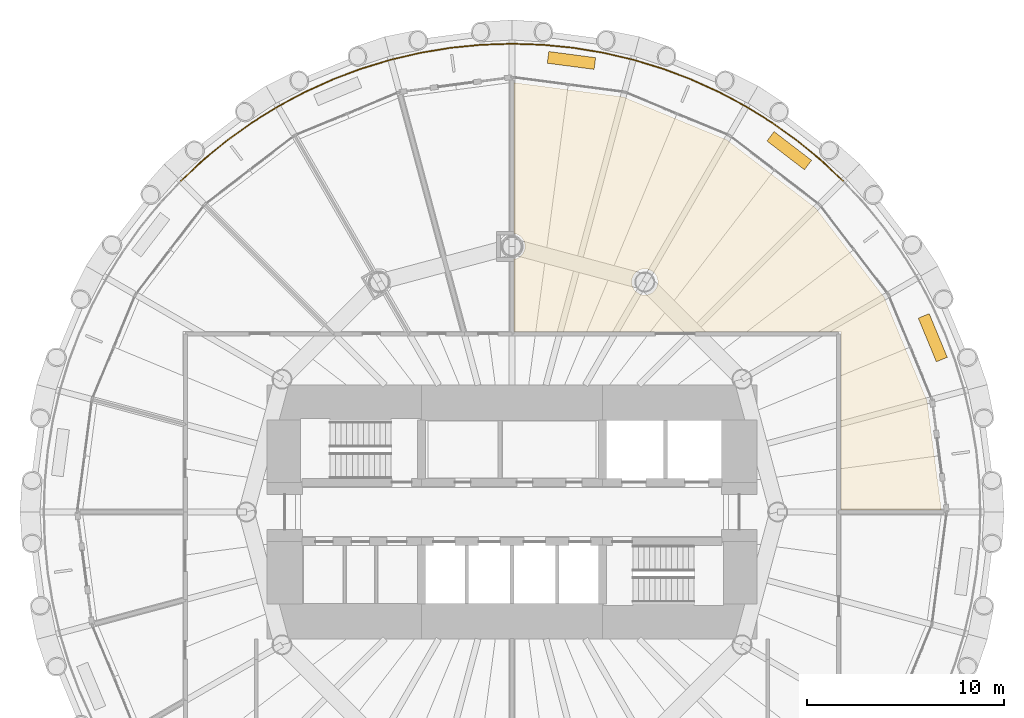
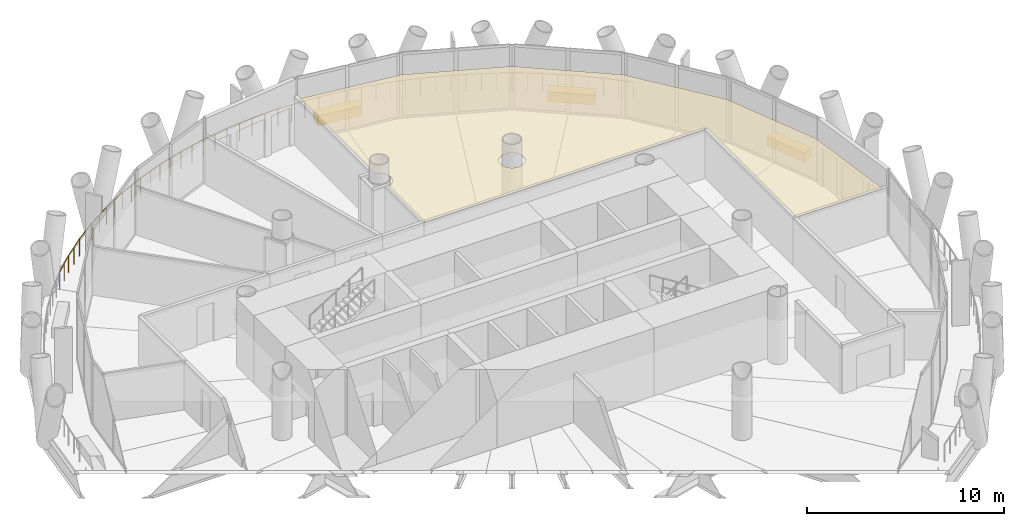
# One storey, part 15 of 15: 4 coverings, 1 railing.
"""IFC4 building model written with IfcOpenShell, lengths in metres."""

from ifc_helpers import new_model, si_unit, direction, frame, origin, origin_2d, place, context, subcontext, project, spatial, polyline, rectangle, circle, outline, extrude, material, layer, layer_set, type_object, element, save


model = new_model("IFC4")

# Units and contexts
model_context = context("Model", 3, precision=1e-05, world=origin(), true_north=direction((0.0, 1.0)))
body_context = subcontext(model_context, "Body", "Model", "MODEL_VIEW")
ifc_project = project(units=[si_unit("LENGTHUNIT", "METRE"), si_unit("AREAUNIT", "SQUARE_METRE"), si_unit("VOLUMEUNIT", "CUBIC_METRE"), si_unit("PLANEANGLEUNIT", "RADIAN"), si_unit("MASSUNIT", "GRAM", prefix="KILO")], contexts=[model_context])

# Site, building, storey
site_placement = place(None, origin())
site = spatial("IfcSite", under=ifc_project, at=site_placement, CompositionType="ELEMENT")
building_placement = place(site_placement, origin())
building = spatial("IfcBuilding", under=site, at=building_placement, Name="Qaws Media Tower", CompositionType="ELEMENT")
storey_placement = place(building_placement, frame((0.0, 0.0, 177.199951171875)))
storey = spatial("IfcBuildingStorey", under=building, at=storey_placement, Name="L40", CompositionType="ELEMENT", Elevation=177.199951171875)

# Railing
ifc_material_1 = material(Name="Stainless steel and glass guard", Category="steel")
railing_type = type_object("IfcRailingType", Name="Balcony guard 1100", PredefinedType="GUARDRAIL", material=ifc_material_1)
railing_placement = place(storey_placement, frame((76.8291015625, 66.8291015625, 0.0)))
element("IfcRailing", 1, at=railing_placement, inside=storey, type_object=railing_type, Name="GR1 balcony guard L40-1", PredefinedType="GUARDRAIL", context=body_context, shape_type="SweptSolid", body=[
    extrude(circle(Radius=0.02392578125, at=origin_2d()), frame((0.0, 0.0, 1.076171875), z_axis=(-0.729849985471, 0.683607342491, 0.0), x_axis=(-0.683607342491, -0.729849985471, 0.0)), (0.0, 0.0, 1.0), 1.557373046875),
    extrude(circle(Radius=0.02392578125, at=origin_2d()), frame((-1.13671875, 1.064697265625, 1.076171875), z_axis=(-0.772992550255, 0.634415098536, 0.0), x_axis=(-0.634415098536, -0.772992550255, 0.0)), (0.0, 0.0, 1.0), 1.557373046875),
    extrude(circle(Radius=0.02392578125, at=origin_2d()), frame((-2.340576171875, 2.052734375, 1.076171875), z_axis=(-0.812810942204, 0.582527572079, 0.0), x_axis=(-0.582527572079, -0.812810942204, 0.0)), (0.0, 0.0, 1.0), 1.557373046875),
    extrude(circle(Radius=0.02392578125, at=origin_2d()), frame((-3.6064453125, 2.9599609375, 1.076171875), z_axis=(-0.849281526223, 0.527940232617, 0.0), x_axis=(-0.527940232617, -0.849281526223, 0.0)), (0.0, 0.0, 1.0), 1.5576171875),
    extrude(circle(Radius=0.02392578125, at=origin_2d()), frame((-4.92919921875, 3.7822265625, 1.076171875), z_axis=(-0.881931668673, 0.471377271187, 0.0), x_axis=(-0.471377271187, -0.881931668673, 0.0)), (0.0, 0.0, 1.0), 1.557373046875),
    extrude(circle(Radius=0.02392578125, at=origin_2d()), frame((-6.302734375, 4.516357421875, 1.076171875), z_axis=(-0.910832985836, 0.412775086352, 0.0), x_axis=(-0.412775086352, -0.910832985836, 0.0)), (0.0, 0.0, 1.0), 1.557373046875),
    extrude(circle(Radius=0.02392578125, at=origin_2d()), frame((-7.72119140625, 5.1591796875, 1.076171875), z_axis=(-0.935922733665, 0.352205389808, 0.0), x_axis=(-0.352205389808, -0.935922733665, 0.0)), (0.0, 0.0, 1.0), 1.5576171875),
    extrude(circle(Radius=0.02392578125, at=origin_2d()), frame((-9.178955078125, 5.707763671875, 1.076171875), z_axis=(-0.956924141073, 0.29033805853, 0.0), x_axis=(-0.29033805853, -0.956924141073, 0.0)), (0.0, 0.0, 1.0), 1.557373046875),
    extrude(circle(Radius=0.02392578125, at=origin_2d()), frame((-10.669189453125, 6.159912109375, 1.076171875), z_axis=(-0.973865484186, 0.227125557152, 0.0), x_axis=(-0.227125557152, -0.973865484186, 0.0)), (0.0, 0.0, 1.0), 1.5576171875),
    extrude(circle(Radius=0.02392578125, at=origin_2d()), frame((-12.18603515625, 6.513671875, 1.076171875), z_axis=(-0.9866469499, 0.162873559095, 0.0), x_axis=(-0.162873559095, -0.9866469499, 0.0)), (0.0, 0.0, 1.0), 1.557373046875),
    extrude(circle(Radius=0.02392578125, at=origin_2d()), frame((-13.72265625, 6.767333984375, 1.076171875), z_axis=(-0.995188142813, 0.097982449474, 0.0), x_axis=(-0.097982449474, -0.995188142813, 0.0)), (0.0, 0.0, 1.0), 1.557373046875),
    extrude(circle(Radius=0.02392578125, at=origin_2d()), frame((-15.2724609375, 6.919921875, 1.076171875), z_axis=(-0.999463195493, 0.032761575887, 0.0), x_axis=(-0.032761575887, -0.999463195493, 0.0)), (0.0, 0.0, 1.0), 1.557373046875),
    extrude(circle(Radius=0.02392578125, at=origin_2d()), frame((-16.8291015625, 6.970947265625, 1.076171875), z_axis=(-0.999463195493, -0.032761575887, 0.0), x_axis=(0.032761575887, -0.999463195493, 0.0)), (0.0, 0.0, 1.0), 1.557373046875),
    extrude(circle(Radius=0.02392578125, at=origin_2d()), frame((-18.3857421875, 6.919921875, 1.076171875), z_axis=(-0.995188142813, -0.097982449474, 0.0), x_axis=(0.097982449474, -0.995188142813, 0.0)), (0.0, 0.0, 1.0), 1.557373046875),
    extrude(circle(Radius=0.02392578125, at=origin_2d()), frame((-19.935546875, 6.767333984375, 1.076171875), z_axis=(-0.9866469499, -0.162873559095, 0.0), x_axis=(0.162873559095, -0.9866469499, 0.0)), (0.0, 0.0, 1.0), 1.557373046875),
    extrude(circle(Radius=0.02392578125, at=origin_2d()), frame((-21.47216796875, 6.513671875, 1.076171875), z_axis=(-0.973865484186, -0.227125557152, 0.0), x_axis=(0.227125557152, -0.973865484186, 0.0)), (0.0, 0.0, 1.0), 1.5576171875),
    extrude(circle(Radius=0.02392578125, at=origin_2d()), frame((-22.989013671875, 6.159912109375, 1.076171875), z_axis=(-0.956924141073, -0.29033805853, 0.0), x_axis=(0.29033805853, -0.956924141073, 0.0)), (0.0, 0.0, 1.0), 1.557373046875),
    extrude(circle(Radius=0.02392578125, at=origin_2d()), frame((-24.479248046875, 5.707763671875, 1.076171875), z_axis=(-0.935922733665, -0.352205389808, 0.0), x_axis=(0.352205389808, -0.935922733665, 0.0)), (0.0, 0.0, 1.0), 1.5576171875),
    extrude(circle(Radius=0.02392578125, at=origin_2d()), frame((-25.93701171875, 5.1591796875, 1.076171875), z_axis=(-0.910832985836, -0.412775086352, 0.0), x_axis=(0.412775086352, -0.910832985836, 0.0)), (0.0, 0.0, 1.0), 1.557373046875),
    extrude(circle(Radius=0.02392578125, at=origin_2d()), frame((-27.35546875, 4.516357421875, 1.076171875), z_axis=(-0.881931668673, -0.471377271187, 0.0), x_axis=(0.471377271187, -0.881931668673, 0.0)), (0.0, 0.0, 1.0), 1.557373046875),
    extrude(circle(Radius=0.02392578125, at=origin_2d()), frame((-28.72900390625, 3.7822265625, 1.076171875), z_axis=(-0.849281526223, -0.527940232617, 0.0), x_axis=(0.527940232617, -0.849281526223, 0.0)), (0.0, 0.0, 1.0), 1.5576171875),
    extrude(circle(Radius=0.02392578125, at=origin_2d()), frame((-30.0517578125, 2.9599609375, 1.076171875), z_axis=(-0.812810942204, -0.582527572079, 0.0), x_axis=(0.582527572079, -0.812810942204, 0.0)), (0.0, 0.0, 1.0), 1.557373046875),
    extrude(circle(Radius=0.02392578125, at=origin_2d()), frame((-31.317626953125, 2.052734375, 1.076171875), z_axis=(-0.772992550255, -0.634415098536, 0.0), x_axis=(0.634415098536, -0.772992550255, 0.0)), (0.0, 0.0, 1.0), 1.557373046875),
    extrude(circle(Radius=0.02392578125, at=origin_2d()), frame((-32.521484375, 1.064697265625, 1.076171875), z_axis=(-0.729849985471, -0.683607342491, 0.0), x_axis=(0.683607342491, -0.729849985471, 0.0)), (0.0, 0.0, 1.0), 1.557373046875),
    extrude(circle(Radius=0.02099609375, at=origin_2d()), origin(), (0.0, 0.0, 1.0), 1.052001953125),
    extrude(circle(Radius=0.02099609375, at=origin_2d()), frame((-0.568359375, 0.5322265625, 0.0)), (0.0, 0.0, 1.0), 1.052001953125),
    extrude(circle(Radius=0.02099609375, at=origin_2d()), frame((-1.13671875, 1.064697265625, 0.0)), (0.0, 0.0, 1.0), 1.052001953125),
    extrude(circle(Radius=0.02099609375, at=origin_2d()), frame((-1.73876953125, 1.55859375, 0.0)), (0.0, 0.0, 1.0), 1.052001953125),
    extrude(circle(Radius=0.02099609375, at=origin_2d()), frame((-2.340576171875, 2.052734375, 0.0)), (0.0, 0.0, 1.0), 1.052001953125),
    extrude(circle(Radius=0.02099609375, at=origin_2d()), frame((-2.9736328125, 2.50634765625, 0.0)), (0.0, 0.0, 1.0), 1.052001953125),
    extrude(circle(Radius=0.02099609375, at=origin_2d()), frame((-3.6064453125, 2.9599609375, 0.0)), (0.0, 0.0, 1.0), 1.052001953125),
    extrude(circle(Radius=0.02099609375, at=origin_2d()), frame((-4.267822265625, 3.37109375, 0.0)), (0.0, 0.0, 1.0), 1.052001953125),
    extrude(circle(Radius=0.02099609375, at=origin_2d()), frame((-4.92919921875, 3.7822265625, 0.0)), (0.0, 0.0, 1.0), 1.052001953125),
    extrude(circle(Radius=0.02099609375, at=origin_2d()), frame((-5.615966796875, 4.1494140625, 0.0)), (0.0, 0.0, 1.0), 1.052001953125),
    extrude(circle(Radius=0.02099609375, at=origin_2d()), frame((-6.302734375, 4.516357421875, 0.0)), (0.0, 0.0, 1.0), 1.052001953125),
    extrude(circle(Radius=0.02099609375, at=origin_2d()), frame((-7.011962890625, 4.837890625, 0.0)), (0.0, 0.0, 1.0), 1.052001953125),
    extrude(circle(Radius=0.02099609375, at=origin_2d()), frame((-7.72119140625, 5.1591796875, 0.0)), (0.0, 0.0, 1.0), 1.052001953125),
    extrude(circle(Radius=0.02099609375, at=origin_2d()), frame((-8.4501953125, 5.43359375, 0.0)), (0.0, 0.0, 1.0), 1.052001953125),
    extrude(circle(Radius=0.02099609375, at=origin_2d()), frame((-9.178955078125, 5.707763671875, 0.0)), (0.0, 0.0, 1.0), 1.052001953125),
    extrude(circle(Radius=0.02099609375, at=origin_2d()), frame((-9.924072265625, 5.933837890625, 0.0)), (0.0, 0.0, 1.0), 1.052001953125),
    extrude(circle(Radius=0.02099609375, at=origin_2d()), frame((-10.669189453125, 6.159912109375, 0.0)), (0.0, 0.0, 1.0), 1.052001953125),
    extrude(circle(Radius=0.02099609375, at=origin_2d()), frame((-11.427734375, 6.3369140625, 0.0)), (0.0, 0.0, 1.0), 1.052001953125),
    extrude(circle(Radius=0.02099609375, at=origin_2d()), frame((-12.18603515625, 6.513671875, 0.0)), (0.0, 0.0, 1.0), 1.052001953125),
    extrude(circle(Radius=0.02099609375, at=origin_2d()), frame((-12.954345703125, 6.640625, 0.0)), (0.0, 0.0, 1.0), 1.052001953125),
    extrude(circle(Radius=0.02099609375, at=origin_2d()), frame((-13.72265625, 6.767333984375, 0.0)), (0.0, 0.0, 1.0), 1.052001953125),
    extrude(circle(Radius=0.02099609375, at=origin_2d()), frame((-14.49755859375, 6.84375, 0.0)), (0.0, 0.0, 1.0), 1.052001953125),
    extrude(circle(Radius=0.02099609375, at=origin_2d()), frame((-15.2724609375, 6.919921875, 0.0)), (0.0, 0.0, 1.0), 1.052001953125),
    extrude(circle(Radius=0.02099609375, at=origin_2d()), frame((-16.05078125, 6.9453125, 0.0)), (0.0, 0.0, 1.0), 1.052001953125),
    extrude(circle(Radius=0.02099609375, at=origin_2d()), frame((-16.8291015625, 6.970947265625, 0.0)), (0.0, 0.0, 1.0), 1.052001953125),
    extrude(circle(Radius=0.02099609375, at=origin_2d()), frame((-17.607421875, 6.9453125, 0.0)), (0.0, 0.0, 1.0), 1.052001953125),
    extrude(circle(Radius=0.02099609375, at=origin_2d()), frame((-18.3857421875, 6.919921875, 0.0)), (0.0, 0.0, 1.0), 1.052001953125),
    extrude(circle(Radius=0.02099609375, at=origin_2d()), frame((-19.16064453125, 6.84375, 0.0)), (0.0, 0.0, 1.0), 1.052001953125),
    extrude(circle(Radius=0.02099609375, at=origin_2d()), frame((-19.935546875, 6.767333984375, 0.0)), (0.0, 0.0, 1.0), 1.052001953125),
    extrude(circle(Radius=0.02099609375, at=origin_2d()), frame((-20.703857421875, 6.640625, 0.0)), (0.0, 0.0, 1.0), 1.052001953125),
    extrude(circle(Radius=0.02099609375, at=origin_2d()), frame((-21.47216796875, 6.513671875, 0.0)), (0.0, 0.0, 1.0), 1.052001953125),
    extrude(circle(Radius=0.02099609375, at=origin_2d()), frame((-22.23046875, 6.3369140625, 0.0)), (0.0, 0.0, 1.0), 1.052001953125),
    extrude(circle(Radius=0.02099609375, at=origin_2d()), frame((-22.989013671875, 6.159912109375, 0.0)), (0.0, 0.0, 1.0), 1.052001953125),
    extrude(circle(Radius=0.02099609375, at=origin_2d()), frame((-23.734130859375, 5.933837890625, 0.0)), (0.0, 0.0, 1.0), 1.052001953125),
    extrude(circle(Radius=0.02099609375, at=origin_2d()), frame((-24.479248046875, 5.707763671875, 0.0)), (0.0, 0.0, 1.0), 1.052001953125),
    extrude(circle(Radius=0.02099609375, at=origin_2d()), frame((-25.2080078125, 5.43359375, 0.0)), (0.0, 0.0, 1.0), 1.052001953125),
    extrude(circle(Radius=0.02099609375, at=origin_2d()), frame((-25.93701171875, 5.1591796875, 0.0)), (0.0, 0.0, 1.0), 1.052001953125),
    extrude(circle(Radius=0.02099609375, at=origin_2d()), frame((-26.646240234375, 4.837890625, 0.0)), (0.0, 0.0, 1.0), 1.052001953125),
    extrude(circle(Radius=0.02099609375, at=origin_2d()), frame((-27.35546875, 4.516357421875, 0.0)), (0.0, 0.0, 1.0), 1.052001953125),
    extrude(circle(Radius=0.02099609375, at=origin_2d()), frame((-28.042236328125, 4.1494140625, 0.0)), (0.0, 0.0, 1.0), 1.052001953125),
    extrude(circle(Radius=0.02099609375, at=origin_2d()), frame((-28.72900390625, 3.7822265625, 0.0)), (0.0, 0.0, 1.0), 1.052001953125),
    extrude(circle(Radius=0.02099609375, at=origin_2d()), frame((-29.390380859375, 3.37109375, 0.0)), (0.0, 0.0, 1.0), 1.052001953125),
    extrude(circle(Radius=0.02099609375, at=origin_2d()), frame((-30.0517578125, 2.9599609375, 0.0)), (0.0, 0.0, 1.0), 1.052001953125),
    extrude(circle(Radius=0.02099609375, at=origin_2d()), frame((-30.6845703125, 2.50634765625, 0.0)), (0.0, 0.0, 1.0), 1.052001953125),
    extrude(circle(Radius=0.02099609375, at=origin_2d()), frame((-31.317626953125, 2.052734375, 0.0)), (0.0, 0.0, 1.0), 1.052001953125),
    extrude(circle(Radius=0.02099609375, at=origin_2d()), frame((-31.91943359375, 1.55859375, 0.0)), (0.0, 0.0, 1.0), 1.052001953125),
    extrude(circle(Radius=0.02099609375, at=origin_2d()), frame((-32.521484375, 1.064697265625, 0.0)), (0.0, 0.0, 1.0), 1.052001953125),
    extrude(circle(Radius=0.02099609375, at=origin_2d()), frame((-33.08984375, 0.5322265625, 0.0)), (0.0, 0.0, 1.0), 1.052001953125),
    extrude(circle(Radius=0.02099609375, at=origin_2d()), frame((-33.658203125, 0.0, 0.0)), (0.0, 0.0, 1.0), 1.052001953125),
])

# Coverings
ifc_material_2 = material(Name="600 x 600 mineral fibre tiles in exposed grid, suspended", Category="mineral fibre")
ifc_layer_1 = layer(ifc_material_2, 0.02001953125)
ifc_layer_set_1 = layer_set([ifc_layer_1], Name="Mineral fibre tile ceiling 20")
covering_type_1 = type_object("IfcCoveringType", Name="Mineral fibre tile ceiling 20", PredefinedType="CEILING", material=ifc_layer_set_1)
covering_placement = place(storey_placement, frame((0.0, 0.0, 2.85009765625)))
element("IfcCovering", 2, at=covering_placement, inside=storey, type_object=covering_type_1, Name="CL1 ceiling L40-02 Strategy office", PredefinedType="CEILING", context=body_context, shape_type="SweptSolid", body=[
    extrude(outline(polyline([(65.6513671875, 71.09130859375), (70.91748046875, 68.909912109375), (75.439697265625, 65.439697265625), (78.909912109375, 60.91748046875), (81.09130859375, 55.6513671875), (81.8203125, 50.112548828125), (76.71240234375, 50.112548828125), (76.71240234375, 59.16259765625), (60.112548828125, 59.16259765625), (60.112548828125, 62.8427734375), (60.1728515625, 62.854736328125), (60.255615234375, 62.8828125), (60.333984375, 62.92138671875), (60.40673828125, 62.969970703125), (60.472412109375, 63.027587890625), (60.530029296875, 63.09326171875), (60.57861328125, 63.166015625), (60.6171875, 63.244384765625), (60.645263671875, 63.3271484375), (60.662353515625, 63.412841796875), (60.66796875, 63.5), (60.662353515625, 63.587158203125), (60.645263671875, 63.6728515625), (60.6171875, 63.755615234375), (60.57861328125, 63.833984375), (60.530029296875, 63.90673828125), (60.472412109375, 63.972412109375), (60.40673828125, 64.030029296875), (60.333984375, 64.07861328125), (60.255615234375, 64.1171875), (60.1728515625, 64.145263671875), (60.112548828125, 64.1572265625), (60.112548828125, 71.8203125), (65.6513671875, 71.09130859375)]), holes=[polyline([(67.3671875, 61.435791015625), (67.395263671875, 61.5185546875), (67.412353515625, 61.604248046875), (67.41796875, 61.69140625), (67.412353515625, 61.778564453125), (67.395263671875, 61.8642578125), (67.3671875, 61.947021484375), (67.32861328125, 62.025390625), (67.280029296875, 62.097900390625), (67.222412109375, 62.163818359375), (67.15673828125, 62.22119140625), (67.083984375, 62.269775390625), (67.005615234375, 62.30859375), (66.9228515625, 62.336669921875), (66.837158203125, 62.353515625), (66.75, 62.359375), (66.662841796875, 62.353515625), (66.5771484375, 62.336669921875), (66.494384765625, 62.30859375), (66.416015625, 62.269775390625), (66.34326171875, 62.22119140625), (66.277587890625, 62.163818359375), (66.219970703125, 62.097900390625), (66.17138671875, 62.025390625), (66.1328125, 61.947021484375), (66.104736328125, 61.8642578125), (66.087646484375, 61.778564453125), (66.08203125, 61.69140625), (66.087646484375, 61.604248046875), (66.104736328125, 61.5185546875), (66.1328125, 61.435791015625), (66.17138671875, 61.357421875), (66.219970703125, 61.28466796875), (66.277587890625, 61.218994140625), (66.34326171875, 61.161376953125), (66.416015625, 61.11279296875), (66.494384765625, 61.07421875), (66.5771484375, 61.046142578125), (66.662841796875, 61.029052734375), (66.75, 61.023193359375), (66.837158203125, 61.029052734375), (66.9228515625, 61.046142578125), (67.005615234375, 61.07421875), (67.083984375, 61.11279296875), (67.15673828125, 61.161376953125), (67.222412109375, 61.218994140625), (67.280029296875, 61.28466796875), (67.32861328125, 61.357421875), (67.3671875, 61.435791015625)])]), origin(), (0.0, 0.0, 1.0), 0.02001953125),
])
ifc_material_3 = material(Name="Precast concrete planter with trailing planting", Category="concrete")
ifc_layer_2 = layer(ifc_material_3, 0.60009765625)
ifc_layer_set_2 = layer_set([ifc_layer_2], Name="Planter 2400x600")
covering_type_2 = type_object("IfcCoveringType", Name="Planter 2400x600", PredefinedType="USERDEFINED", material=ifc_layer_set_2)
for number, where, z_axis, x_axis, name in (
    (3, (81.3876953125, 58.859130859375, 0.0), (0.0, 0.0, 1.0), (-0.382683432365, 0.923879532511, 0.0), "PL1 balcony planter L40-01"),
    (4, (74.0927734375, 68.3662109375, 0.0), (0.0, 0.0, 1.0), (-0.793353340291, 0.608761429009, 0.0), "PL1 balcony planter L40-02"),
    (5, (63.021728515625, 72.951904296875, 0.0), (0.0, 0.0, 1.0), (-0.991444861374, 0.13052619222, 0.0), "PL1 balcony planter L40-03"),
):
    element("IfcCovering", number, at=place(storey_placement, frame(where, z_axis=z_axis, x_axis=x_axis)), inside=storey, type_object=covering_type_2, Name=name, ObjectType="PLANTER", PredefinedType="USERDEFINED", context=body_context, shape_type="SweptSolid", body=[
        extrude(rectangle(XDim=2.39990234375, YDim=0.60009765625, at=origin_2d()), origin(), (0.0, 0.0, 1.0), 0.60009765625),
    ])

save(model, "model.ifc")
